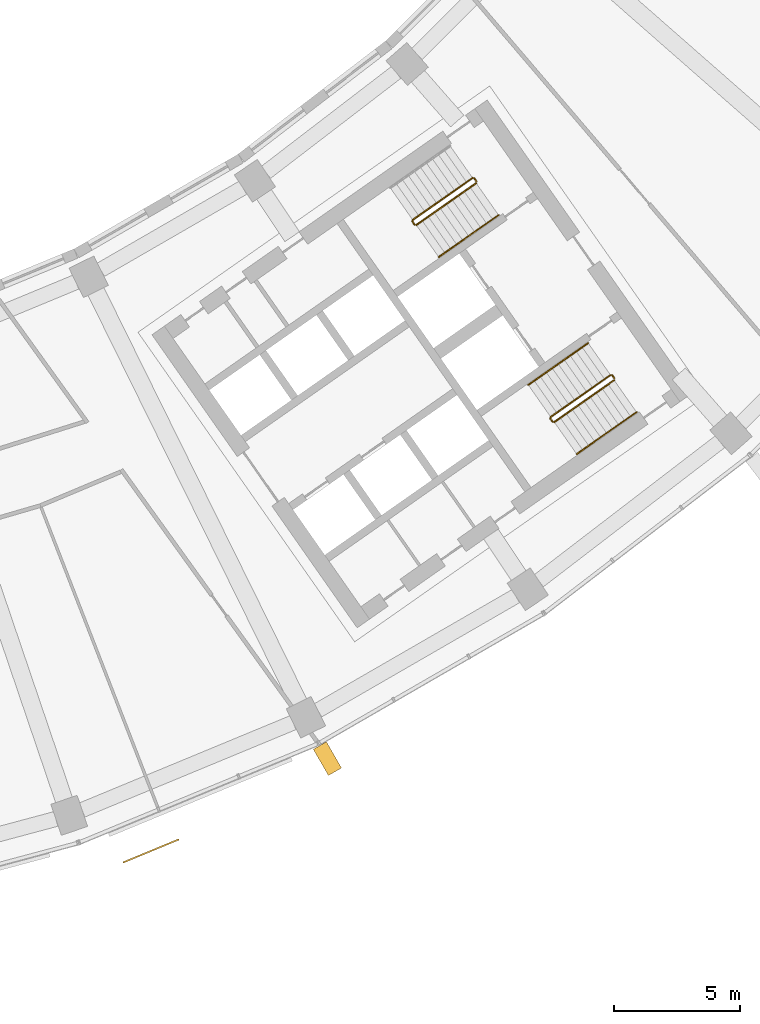
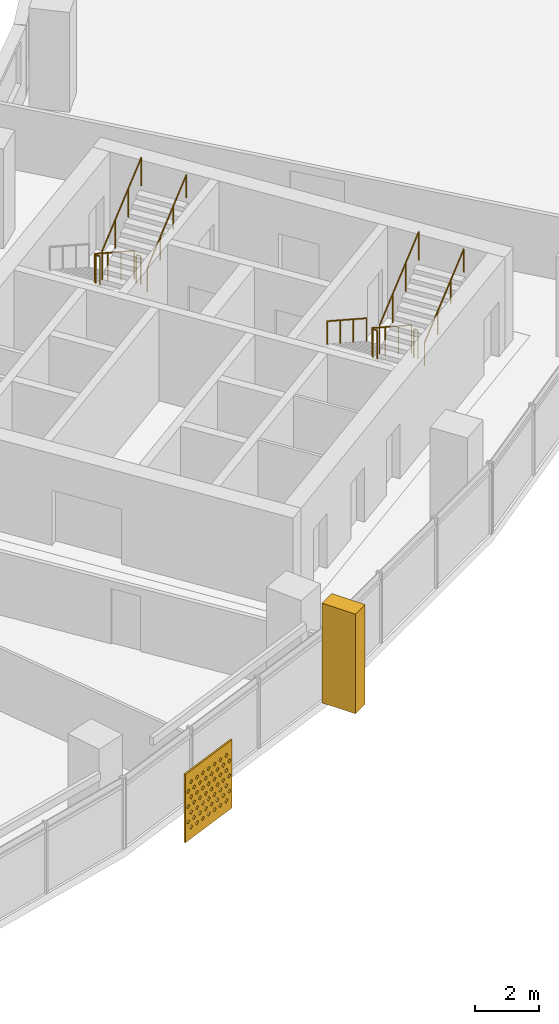
# One storey, part 26 of 27: 9 railings, 2 shading devices.
"""IFC4 building model written with IfcOpenShell, lengths in metres."""

from ifc_helpers import new_model, si_unit, direction, frame, origin, origin_2d, place, context, subcontext, project, spatial, polyline, circle, outline, extrude, material, material_profile, profile_set, type_object, element, save


model = new_model("IFC4")

# Units and contexts
model_context = context("Model", 3, precision=1e-05, world=origin(), true_north=direction((0.0, 1.0)))
body_context = subcontext(model_context, "Body", "Model", "MODEL_VIEW")
ifc_project = project(units=[si_unit("LENGTHUNIT", "METRE"), si_unit("AREAUNIT", "SQUARE_METRE"), si_unit("VOLUMEUNIT", "CUBIC_METRE"), si_unit("PLANEANGLEUNIT", "RADIAN"), si_unit("MASSUNIT", "GRAM", prefix="KILO")], contexts=[model_context])

# Site, building, storey
site_placement = place(None, origin())
site = spatial("IfcSite", under=ifc_project, at=site_placement, CompositionType="ELEMENT")
building_placement = place(site_placement, origin())
building = spatial("IfcBuilding", under=site, at=building_placement, Name="Qamariyya Broadcast Tower", CompositionType="ELEMENT")
storey_placement = place(building_placement, frame((0.0, 0.0, 153.10009765625)))
storey = spatial("IfcBuildingStorey", under=building, at=storey_placement, Name="L35", CompositionType="ELEMENT", Elevation=153.10009765625)

# Shading devices
ifc_material_1 = material(Name="Steel S355 powder coated deep red", Category="steel")
shading_device_type_1 = type_object("IfcShadingDeviceType", Name="Deep red frame, powder coated steel box section", PredefinedType="USERDEFINED", material=ifc_material_1)
shading_device_1_placement = place(storey_placement, origin())
element("IfcShadingDevice", 1, at=shading_device_1_placement, inside=storey, type_object=shading_device_type_1, Name="e-frm-B3-F4-posta-L35", ObjectType="FRAME", PredefinedType="USERDEFINED", context=body_context, shape_type="SweptSolid", body=[
    extrude(outline(polyline([(34.680908203125, -71.0029296875), (35.281005859375, -72.042236328125), (35.800537109375, -71.7421875), (35.20068359375, -70.702880859375), (34.680908203125, -71.0029296875)])), origin(), (0.0, 0.0, 1.0), 3.7998046875),
])
ifc_material_2 = material(Name="Perforated glazed terracotta", Category="masonry")
ifc_material_profile = material_profile(ifc_material_2, outline(polyline([(-1.199951171875, -1.300048828125), (1.199951171875, -1.300048828125), (1.199951171875, 1.300048828125), (-1.199951171875, 1.300048828125), (-1.199951171875, -1.300048828125)]), holes=[polyline([(-0.81494140625, -0.86669921875), (-0.89990234375, -0.78173828125), (-0.985107421875, -0.86669921875), (-0.89990234375, -0.95166015625), (-0.81494140625, -0.86669921875)]), polyline([(-0.514892578125, -0.86669921875), (-0.60009765625, -0.78173828125), (-0.68505859375, -0.86669921875), (-0.60009765625, -0.95166015625), (-0.514892578125, -0.86669921875)]), polyline([(-0.215087890625, -0.86669921875), (-0.300048828125, -0.78173828125), (-0.385009765625, -0.86669921875), (-0.300048828125, -0.95166015625), (-0.215087890625, -0.86669921875)]), polyline([(0.0849609375, -0.86669921875), (0.0, -0.78173828125), (-0.0849609375, -0.86669921875), (0.0, -0.95166015625), (0.0849609375, -0.86669921875)]), polyline([(0.385009765625, -0.86669921875), (0.300048828125, -0.78173828125), (0.215087890625, -0.86669921875), (0.300048828125, -0.95166015625), (0.385009765625, -0.86669921875)]), polyline([(0.68505859375, -0.86669921875), (0.60009765625, -0.78173828125), (0.514892578125, -0.86669921875), (0.60009765625, -0.95166015625), (0.68505859375, -0.86669921875)]), polyline([(0.985107421875, -0.86669921875), (0.89990234375, -0.78173828125), (0.81494140625, -0.86669921875), (0.89990234375, -0.95166015625), (0.985107421875, -0.86669921875)]), polyline([(-0.965087890625, -0.577880859375), (-1.050048828125, -0.49267578125), (-1.135009765625, -0.577880859375), (-1.050048828125, -0.662841796875), (-0.965087890625, -0.577880859375)]), polyline([(-0.6650390625, -0.577880859375), (-0.75, -0.49267578125), (-0.8349609375, -0.577880859375), (-0.75, -0.662841796875), (-0.6650390625, -0.577880859375)]), polyline([(-0.364990234375, -0.577880859375), (-0.449951171875, -0.49267578125), (-0.534912109375, -0.577880859375), (-0.449951171875, -0.662841796875), (-0.364990234375, -0.577880859375)]), polyline([(-0.06494140625, -0.577880859375), (-0.14990234375, -0.49267578125), (-0.235107421875, -0.577880859375), (-0.14990234375, -0.662841796875), (-0.06494140625, -0.577880859375)]), polyline([(0.235107421875, -0.577880859375), (0.14990234375, -0.49267578125), (0.06494140625, -0.577880859375), (0.14990234375, -0.662841796875), (0.235107421875, -0.577880859375)]), polyline([(0.534912109375, -0.577880859375), (0.449951171875, -0.49267578125), (0.364990234375, -0.577880859375), (0.449951171875, -0.662841796875), (0.534912109375, -0.577880859375)]), polyline([(0.8349609375, -0.577880859375), (0.75, -0.49267578125), (0.6650390625, -0.577880859375), (0.75, -0.662841796875), (0.8349609375, -0.577880859375)]), polyline([(1.135009765625, -0.577880859375), (1.050048828125, -0.49267578125), (0.965087890625, -0.577880859375), (1.050048828125, -0.662841796875), (1.135009765625, -0.577880859375)]), polyline([(-0.81494140625, -0.288818359375), (-0.89990234375, -0.203857421875), (-0.985107421875, -0.288818359375), (-0.89990234375, -0.373779296875), (-0.81494140625, -0.288818359375)]), polyline([(-0.514892578125, -0.288818359375), (-0.60009765625, -0.203857421875), (-0.68505859375, -0.288818359375), (-0.60009765625, -0.373779296875), (-0.514892578125, -0.288818359375)]), polyline([(-0.215087890625, -0.288818359375), (-0.300048828125, -0.203857421875), (-0.385009765625, -0.288818359375), (-0.300048828125, -0.373779296875), (-0.215087890625, -0.288818359375)]), polyline([(0.0849609375, -0.288818359375), (0.0, -0.203857421875), (-0.0849609375, -0.288818359375), (0.0, -0.373779296875), (0.0849609375, -0.288818359375)]), polyline([(0.385009765625, -0.288818359375), (0.300048828125, -0.203857421875), (0.215087890625, -0.288818359375), (0.300048828125, -0.373779296875), (0.385009765625, -0.288818359375)]), polyline([(0.68505859375, -0.288818359375), (0.60009765625, -0.203857421875), (0.514892578125, -0.288818359375), (0.60009765625, -0.373779296875), (0.68505859375, -0.288818359375)]), polyline([(0.985107421875, -0.288818359375), (0.89990234375, -0.203857421875), (0.81494140625, -0.288818359375), (0.89990234375, -0.373779296875), (0.985107421875, -0.288818359375)]), polyline([(-0.965087890625, 0.0), (-1.050048828125, 0.0849609375), (-1.135009765625, 0.0), (-1.050048828125, -0.0849609375), (-0.965087890625, 0.0)]), polyline([(-0.6650390625, 0.0), (-0.75, 0.0849609375), (-0.8349609375, 0.0), (-0.75, -0.0849609375), (-0.6650390625, 0.0)]), polyline([(-0.364990234375, 0.0), (-0.449951171875, 0.0849609375), (-0.534912109375, 0.0), (-0.449951171875, -0.0849609375), (-0.364990234375, 0.0)]), polyline([(-0.06494140625, 0.0), (-0.14990234375, 0.0849609375), (-0.235107421875, 0.0), (-0.14990234375, -0.0849609375), (-0.06494140625, 0.0)]), polyline([(0.235107421875, 0.0), (0.14990234375, 0.0849609375), (0.06494140625, 0.0), (0.14990234375, -0.0849609375), (0.235107421875, 0.0)]), polyline([(0.534912109375, 0.0), (0.449951171875, 0.0849609375), (0.364990234375, 0.0), (0.449951171875, -0.0849609375), (0.534912109375, 0.0)]), polyline([(0.8349609375, 0.0), (0.75, 0.0849609375), (0.6650390625, 0.0), (0.75, -0.0849609375), (0.8349609375, 0.0)]), polyline([(1.135009765625, 0.0), (1.050048828125, 0.0849609375), (0.965087890625, 0.0), (1.050048828125, -0.0849609375), (1.135009765625, 0.0)]), polyline([(-0.81494140625, 0.288818359375), (-0.89990234375, 0.373779296875), (-0.985107421875, 0.288818359375), (-0.89990234375, 0.203857421875), (-0.81494140625, 0.288818359375)]), polyline([(-0.514892578125, 0.288818359375), (-0.60009765625, 0.373779296875), (-0.68505859375, 0.288818359375), (-0.60009765625, 0.203857421875), (-0.514892578125, 0.288818359375)]), polyline([(-0.215087890625, 0.288818359375), (-0.300048828125, 0.373779296875), (-0.385009765625, 0.288818359375), (-0.300048828125, 0.203857421875), (-0.215087890625, 0.288818359375)]), polyline([(0.0849609375, 0.288818359375), (0.0, 0.373779296875), (-0.0849609375, 0.288818359375), (0.0, 0.203857421875), (0.0849609375, 0.288818359375)]), polyline([(0.385009765625, 0.288818359375), (0.300048828125, 0.373779296875), (0.215087890625, 0.288818359375), (0.300048828125, 0.203857421875), (0.385009765625, 0.288818359375)]), polyline([(0.68505859375, 0.288818359375), (0.60009765625, 0.373779296875), (0.514892578125, 0.288818359375), (0.60009765625, 0.203857421875), (0.68505859375, 0.288818359375)]), polyline([(0.985107421875, 0.288818359375), (0.89990234375, 0.373779296875), (0.81494140625, 0.288818359375), (0.89990234375, 0.203857421875), (0.985107421875, 0.288818359375)]), polyline([(-0.965087890625, 0.577880859375), (-1.050048828125, 0.662841796875), (-1.135009765625, 0.577880859375), (-1.050048828125, 0.49267578125), (-0.965087890625, 0.577880859375)]), polyline([(-0.6650390625, 0.577880859375), (-0.75, 0.662841796875), (-0.8349609375, 0.577880859375), (-0.75, 0.49267578125), (-0.6650390625, 0.577880859375)]), polyline([(-0.364990234375, 0.577880859375), (-0.449951171875, 0.662841796875), (-0.534912109375, 0.577880859375), (-0.449951171875, 0.49267578125), (-0.364990234375, 0.577880859375)]), polyline([(-0.06494140625, 0.577880859375), (-0.14990234375, 0.662841796875), (-0.235107421875, 0.577880859375), (-0.14990234375, 0.49267578125), (-0.06494140625, 0.577880859375)]), polyline([(0.235107421875, 0.577880859375), (0.14990234375, 0.662841796875), (0.06494140625, 0.577880859375), (0.14990234375, 0.49267578125), (0.235107421875, 0.577880859375)]), polyline([(0.534912109375, 0.577880859375), (0.449951171875, 0.662841796875), (0.364990234375, 0.577880859375), (0.449951171875, 0.49267578125), (0.534912109375, 0.577880859375)]), polyline([(0.8349609375, 0.577880859375), (0.75, 0.662841796875), (0.6650390625, 0.577880859375), (0.75, 0.49267578125), (0.8349609375, 0.577880859375)]), polyline([(1.135009765625, 0.577880859375), (1.050048828125, 0.662841796875), (0.965087890625, 0.577880859375), (1.050048828125, 0.49267578125), (1.135009765625, 0.577880859375)]), polyline([(-0.81494140625, 0.86669921875), (-0.89990234375, 0.95166015625), (-0.985107421875, 0.86669921875), (-0.89990234375, 0.78173828125), (-0.81494140625, 0.86669921875)]), polyline([(-0.514892578125, 0.86669921875), (-0.60009765625, 0.95166015625), (-0.68505859375, 0.86669921875), (-0.60009765625, 0.78173828125), (-0.514892578125, 0.86669921875)]), polyline([(-0.215087890625, 0.86669921875), (-0.300048828125, 0.95166015625), (-0.385009765625, 0.86669921875), (-0.300048828125, 0.78173828125), (-0.215087890625, 0.86669921875)]), polyline([(0.0849609375, 0.86669921875), (0.0, 0.95166015625), (-0.0849609375, 0.86669921875), (0.0, 0.78173828125), (0.0849609375, 0.86669921875)]), polyline([(0.385009765625, 0.86669921875), (0.300048828125, 0.95166015625), (0.215087890625, 0.86669921875), (0.300048828125, 0.78173828125), (0.385009765625, 0.86669921875)]), polyline([(0.68505859375, 0.86669921875), (0.60009765625, 0.95166015625), (0.514892578125, 0.86669921875), (0.60009765625, 0.78173828125), (0.68505859375, 0.86669921875)]), polyline([(0.985107421875, 0.86669921875), (0.89990234375, 0.95166015625), (0.81494140625, 0.86669921875), (0.89990234375, 0.78173828125), (0.985107421875, 0.86669921875)])]))
ifc_profile_set = profile_set([ifc_material_profile], Name="Perforated glazed terracotta")
shading_device_type_2 = type_object("IfcShadingDeviceType", Name="Perforated terracotta screen 2400 x 2600", PredefinedType="USERDEFINED", material=ifc_profile_set)
shading_device_2_placement = place(storey_placement, frame((28.22802734375, -75.008056640625, 1.349853515625), z_axis=(0.382591441855, -0.923917630863, 0.0), x_axis=(0.923917630863, 0.382591441855, 0.0)))
element("IfcShadingDevice", 2, at=shading_device_2_placement, inside=storey, type_object=shading_device_type_2, Name="e-scr-L35-10-0", ObjectType="SCREEN", PredefinedType="USERDEFINED", context=body_context, shape_type="SweptSolid", body=[
    extrude(outline(polyline([(-1.199951171875, -1.300048828125), (1.199951171875, -1.300048828125), (1.199951171875, 1.300048828125), (-1.199951171875, 1.300048828125), (-1.199951171875, -1.300048828125)]), holes=[polyline([(-0.81494140625, -0.86669921875), (-0.89990234375, -0.78173828125), (-0.985107421875, -0.86669921875), (-0.89990234375, -0.95166015625), (-0.81494140625, -0.86669921875)]), polyline([(-0.514892578125, -0.86669921875), (-0.60009765625, -0.78173828125), (-0.68505859375, -0.86669921875), (-0.60009765625, -0.95166015625), (-0.514892578125, -0.86669921875)]), polyline([(-0.215087890625, -0.86669921875), (-0.300048828125, -0.78173828125), (-0.385009765625, -0.86669921875), (-0.300048828125, -0.95166015625), (-0.215087890625, -0.86669921875)]), polyline([(0.0849609375, -0.86669921875), (0.0, -0.78173828125), (-0.0849609375, -0.86669921875), (0.0, -0.95166015625), (0.0849609375, -0.86669921875)]), polyline([(0.385009765625, -0.86669921875), (0.300048828125, -0.78173828125), (0.215087890625, -0.86669921875), (0.300048828125, -0.95166015625), (0.385009765625, -0.86669921875)]), polyline([(0.68505859375, -0.86669921875), (0.60009765625, -0.78173828125), (0.514892578125, -0.86669921875), (0.60009765625, -0.95166015625), (0.68505859375, -0.86669921875)]), polyline([(0.985107421875, -0.86669921875), (0.89990234375, -0.78173828125), (0.81494140625, -0.86669921875), (0.89990234375, -0.95166015625), (0.985107421875, -0.86669921875)]), polyline([(-0.965087890625, -0.577880859375), (-1.050048828125, -0.49267578125), (-1.135009765625, -0.577880859375), (-1.050048828125, -0.662841796875), (-0.965087890625, -0.577880859375)]), polyline([(-0.6650390625, -0.577880859375), (-0.75, -0.49267578125), (-0.8349609375, -0.577880859375), (-0.75, -0.662841796875), (-0.6650390625, -0.577880859375)]), polyline([(-0.364990234375, -0.577880859375), (-0.449951171875, -0.49267578125), (-0.534912109375, -0.577880859375), (-0.449951171875, -0.662841796875), (-0.364990234375, -0.577880859375)]), polyline([(-0.06494140625, -0.577880859375), (-0.14990234375, -0.49267578125), (-0.235107421875, -0.577880859375), (-0.14990234375, -0.662841796875), (-0.06494140625, -0.577880859375)]), polyline([(0.235107421875, -0.577880859375), (0.14990234375, -0.49267578125), (0.06494140625, -0.577880859375), (0.14990234375, -0.662841796875), (0.235107421875, -0.577880859375)]), polyline([(0.534912109375, -0.577880859375), (0.449951171875, -0.49267578125), (0.364990234375, -0.577880859375), (0.449951171875, -0.662841796875), (0.534912109375, -0.577880859375)]), polyline([(0.8349609375, -0.577880859375), (0.75, -0.49267578125), (0.6650390625, -0.577880859375), (0.75, -0.662841796875), (0.8349609375, -0.577880859375)]), polyline([(1.135009765625, -0.577880859375), (1.050048828125, -0.49267578125), (0.965087890625, -0.577880859375), (1.050048828125, -0.662841796875), (1.135009765625, -0.577880859375)]), polyline([(-0.81494140625, -0.288818359375), (-0.89990234375, -0.203857421875), (-0.985107421875, -0.288818359375), (-0.89990234375, -0.373779296875), (-0.81494140625, -0.288818359375)]), polyline([(-0.514892578125, -0.288818359375), (-0.60009765625, -0.203857421875), (-0.68505859375, -0.288818359375), (-0.60009765625, -0.373779296875), (-0.514892578125, -0.288818359375)]), polyline([(-0.215087890625, -0.288818359375), (-0.300048828125, -0.203857421875), (-0.385009765625, -0.288818359375), (-0.300048828125, -0.373779296875), (-0.215087890625, -0.288818359375)]), polyline([(0.0849609375, -0.288818359375), (0.0, -0.203857421875), (-0.0849609375, -0.288818359375), (0.0, -0.373779296875), (0.0849609375, -0.288818359375)]), polyline([(0.385009765625, -0.288818359375), (0.300048828125, -0.203857421875), (0.215087890625, -0.288818359375), (0.300048828125, -0.373779296875), (0.385009765625, -0.288818359375)]), polyline([(0.68505859375, -0.288818359375), (0.60009765625, -0.203857421875), (0.514892578125, -0.288818359375), (0.60009765625, -0.373779296875), (0.68505859375, -0.288818359375)]), polyline([(0.985107421875, -0.288818359375), (0.89990234375, -0.203857421875), (0.81494140625, -0.288818359375), (0.89990234375, -0.373779296875), (0.985107421875, -0.288818359375)]), polyline([(-0.965087890625, 0.0), (-1.050048828125, 0.0849609375), (-1.135009765625, 0.0), (-1.050048828125, -0.0849609375), (-0.965087890625, 0.0)]), polyline([(-0.6650390625, 0.0), (-0.75, 0.0849609375), (-0.8349609375, 0.0), (-0.75, -0.0849609375), (-0.6650390625, 0.0)]), polyline([(-0.364990234375, 0.0), (-0.449951171875, 0.0849609375), (-0.534912109375, 0.0), (-0.449951171875, -0.0849609375), (-0.364990234375, 0.0)]), polyline([(-0.06494140625, 0.0), (-0.14990234375, 0.0849609375), (-0.235107421875, 0.0), (-0.14990234375, -0.0849609375), (-0.06494140625, 0.0)]), polyline([(0.235107421875, 0.0), (0.14990234375, 0.0849609375), (0.06494140625, 0.0), (0.14990234375, -0.0849609375), (0.235107421875, 0.0)]), polyline([(0.534912109375, 0.0), (0.449951171875, 0.0849609375), (0.364990234375, 0.0), (0.449951171875, -0.0849609375), (0.534912109375, 0.0)]), polyline([(0.8349609375, 0.0), (0.75, 0.0849609375), (0.6650390625, 0.0), (0.75, -0.0849609375), (0.8349609375, 0.0)]), polyline([(1.135009765625, 0.0), (1.050048828125, 0.0849609375), (0.965087890625, 0.0), (1.050048828125, -0.0849609375), (1.135009765625, 0.0)]), polyline([(-0.81494140625, 0.288818359375), (-0.89990234375, 0.373779296875), (-0.985107421875, 0.288818359375), (-0.89990234375, 0.203857421875), (-0.81494140625, 0.288818359375)]), polyline([(-0.514892578125, 0.288818359375), (-0.60009765625, 0.373779296875), (-0.68505859375, 0.288818359375), (-0.60009765625, 0.203857421875), (-0.514892578125, 0.288818359375)]), polyline([(-0.215087890625, 0.288818359375), (-0.300048828125, 0.373779296875), (-0.385009765625, 0.288818359375), (-0.300048828125, 0.203857421875), (-0.215087890625, 0.288818359375)]), polyline([(0.0849609375, 0.288818359375), (0.0, 0.373779296875), (-0.0849609375, 0.288818359375), (0.0, 0.203857421875), (0.0849609375, 0.288818359375)]), polyline([(0.385009765625, 0.288818359375), (0.300048828125, 0.373779296875), (0.215087890625, 0.288818359375), (0.300048828125, 0.203857421875), (0.385009765625, 0.288818359375)]), polyline([(0.68505859375, 0.288818359375), (0.60009765625, 0.373779296875), (0.514892578125, 0.288818359375), (0.60009765625, 0.203857421875), (0.68505859375, 0.288818359375)]), polyline([(0.985107421875, 0.288818359375), (0.89990234375, 0.373779296875), (0.81494140625, 0.288818359375), (0.89990234375, 0.203857421875), (0.985107421875, 0.288818359375)]), polyline([(-0.965087890625, 0.577880859375), (-1.050048828125, 0.662841796875), (-1.135009765625, 0.577880859375), (-1.050048828125, 0.49267578125), (-0.965087890625, 0.577880859375)]), polyline([(-0.6650390625, 0.577880859375), (-0.75, 0.662841796875), (-0.8349609375, 0.577880859375), (-0.75, 0.49267578125), (-0.6650390625, 0.577880859375)]), polyline([(-0.364990234375, 0.577880859375), (-0.449951171875, 0.662841796875), (-0.534912109375, 0.577880859375), (-0.449951171875, 0.49267578125), (-0.364990234375, 0.577880859375)]), polyline([(-0.06494140625, 0.577880859375), (-0.14990234375, 0.662841796875), (-0.235107421875, 0.577880859375), (-0.14990234375, 0.49267578125), (-0.06494140625, 0.577880859375)]), polyline([(0.235107421875, 0.577880859375), (0.14990234375, 0.662841796875), (0.06494140625, 0.577880859375), (0.14990234375, 0.49267578125), (0.235107421875, 0.577880859375)]), polyline([(0.534912109375, 0.577880859375), (0.449951171875, 0.662841796875), (0.364990234375, 0.577880859375), (0.449951171875, 0.49267578125), (0.534912109375, 0.577880859375)]), polyline([(0.8349609375, 0.577880859375), (0.75, 0.662841796875), (0.6650390625, 0.577880859375), (0.75, 0.49267578125), (0.8349609375, 0.577880859375)]), polyline([(1.135009765625, 0.577880859375), (1.050048828125, 0.662841796875), (0.965087890625, 0.577880859375), (1.050048828125, 0.49267578125), (1.135009765625, 0.577880859375)]), polyline([(-0.81494140625, 0.86669921875), (-0.89990234375, 0.95166015625), (-0.985107421875, 0.86669921875), (-0.89990234375, 0.78173828125), (-0.81494140625, 0.86669921875)]), polyline([(-0.514892578125, 0.86669921875), (-0.60009765625, 0.95166015625), (-0.68505859375, 0.86669921875), (-0.60009765625, 0.78173828125), (-0.514892578125, 0.86669921875)]), polyline([(-0.215087890625, 0.86669921875), (-0.300048828125, 0.95166015625), (-0.385009765625, 0.86669921875), (-0.300048828125, 0.78173828125), (-0.215087890625, 0.86669921875)]), polyline([(0.0849609375, 0.86669921875), (0.0, 0.95166015625), (-0.0849609375, 0.86669921875), (0.0, 0.78173828125), (0.0849609375, 0.86669921875)]), polyline([(0.385009765625, 0.86669921875), (0.300048828125, 0.95166015625), (0.215087890625, 0.86669921875), (0.300048828125, 0.78173828125), (0.385009765625, 0.86669921875)]), polyline([(0.68505859375, 0.86669921875), (0.60009765625, 0.95166015625), (0.514892578125, 0.86669921875), (0.60009765625, 0.78173828125), (0.68505859375, 0.86669921875)]), polyline([(0.985107421875, 0.86669921875), (0.89990234375, 0.95166015625), (0.81494140625, 0.86669921875), (0.89990234375, 0.78173828125), (0.985107421875, 0.86669921875)])]), origin(), (0.0, 0.0, 1.0), 0.06005859375),
])

# Railings
ifc_material_3 = material(Name="Painted steel", Category="steel")
railing_type_1 = type_object("IfcRailingType", Name="Stair guard", PredefinedType="GUARDRAIL", material=ifc_material_3)
railing_1_placement = place(storey_placement, frame((41.003173828125, -48.320068359375, 0.172607421875)))
element("IfcRailing", 3, at=railing_1_placement, inside=storey, type_object=railing_type_1, Name="L35 ST-E2 stair guard 1", PredefinedType="GUARDRAIL", context=body_context, shape_type="SweptSolid", body=[
    extrude(circle(Radius=0.02392578125, at=origin_2d()), frame((0.0, 0.0, 1.076171875), z_axis=(-0.703770094002, -0.492783725636, 0.511734163933), x_axis=(0.573575343427, -0.819152809562, 0.0)), (0.0, 0.0, 1.0), 3.37548828125),
    extrude(circle(Radius=0.02392578125, at=origin_2d()), frame((-2.37548828125, -1.663330078125, 2.80322265625), z_axis=(-0.172799478008, -0.984957024646, 0.0), x_axis=(0.984957024646, -0.172799478008, 0.0)), (0.0, 0.0, 1.0), 0.070556640625),
    extrude(circle(Radius=0.02392578125, at=origin_2d()), frame((-2.3876953125, -1.73291015625, 2.80322265625), z_axis=(0.572588637393, -0.819842821722, 0.0), x_axis=(0.819842821722, 0.572588637393, 0.0)), (0.0, 0.0, 1.0), 0.150146484375),
    extrude(circle(Radius=0.02099609375, at=origin_2d()), origin(), (0.0, 0.0, 1.0), 1.052001953125),
    extrude(circle(Radius=0.02099609375, at=origin_2d()), frame((-0.791748046875, -0.554443359375, 0.57568359375)), (0.0, 0.0, 1.0), 1.052001953125),
    extrude(circle(Radius=0.02099609375, at=origin_2d()), frame((-1.583740234375, -1.10888671875, 1.151611328125)), (0.0, 0.0, 1.0), 1.052001953125),
    extrude(circle(Radius=0.02099609375, at=origin_2d()), frame((-2.37548828125, -1.663330078125, 1.727294921875)), (0.0, 0.0, 1.0), 1.052001953125),
    extrude(circle(Radius=0.02099609375, at=origin_2d()), frame((-2.3876953125, -1.73291015625, 1.727294921875)), (0.0, 0.0, 1.0), 1.052001953125),
    extrude(circle(Radius=0.02099609375, at=origin_2d()), frame((-2.3017578125, -1.85595703125, 1.727294921875)), (0.0, 0.0, 1.0), 1.052001953125),
])
railing_2_placement = place(storey_placement, frame((38.771240234375, -50.188232421875, 2.072509765625)))
element("IfcRailing", 4, at=railing_2_placement, inside=storey, type_object=railing_type_1, Name="L35 ST-E2 stair guard 2", PredefinedType="GUARDRAIL", context=body_context, shape_type="SweptSolid", body=[
    extrude(circle(Radius=0.02392578125, at=origin_2d()), frame((0.0, 0.0, 1.076171875), z_axis=(0.703770094002, 0.492783725636, 0.511734163933), x_axis=(-0.573575343427, 0.819152809562, 0.0)), (0.0, 0.0, 1.0), 3.37548828125),
    extrude(circle(Radius=0.02099609375, at=origin_2d()), origin(), (0.0, 0.0, 1.0), 1.052001953125),
    extrude(circle(Radius=0.02099609375, at=origin_2d()), frame((0.791748046875, 0.554443359375, 0.57568359375)), (0.0, 0.0, 1.0), 1.052001953125),
    extrude(circle(Radius=0.02099609375, at=origin_2d()), frame((1.583740234375, 1.10888671875, 1.151611328125)), (0.0, 0.0, 1.0), 1.052001953125),
    extrude(circle(Radius=0.02099609375, at=origin_2d()), frame((2.37548828125, 1.663330078125, 1.727294921875)), (0.0, 0.0, 1.0), 1.052001953125),
])
railing_3_placement = place(storey_placement, frame((41.072998046875, -48.332275390625, 0.0)))
element("IfcRailing", 5, at=railing_3_placement, inside=storey, type_object=railing_type_1, Name="L35 ST-E2 stair guard 3", PredefinedType="GUARDRAIL", context=body_context, shape_type="SweptSolid", body=[
    extrude(circle(Radius=0.02392578125, at=origin_2d()), frame((0.0, 0.0, 1.076171875), z_axis=(0.572588637393, -0.819842821722, 0.0), x_axis=(0.819842821722, 0.572588637393, 0.0)), (0.0, 0.0, 1.0), 0.150146484375),
    extrude(circle(Radius=0.02099609375, at=origin_2d()), origin(), (0.0, 0.0, 1.0), 1.052001953125),
    extrude(circle(Radius=0.02099609375, at=origin_2d()), frame((0.0859375, -0.123046875, 0.0)), (0.0, 0.0, 1.0), 1.052001953125),
])
railing_4_placement = place(storey_placement, frame((46.48095703125, -56.14306640625, 0.172607421875)))
element("IfcRailing", 6, at=railing_4_placement, inside=storey, type_object=railing_type_1, Name="L35 ST-E1 stair guard 1", PredefinedType="GUARDRAIL", context=body_context, shape_type="SweptSolid", body=[
    extrude(circle(Radius=0.02392578125, at=origin_2d()), frame((0.0, 0.0, 1.076171875), z_axis=(-0.703770094002, -0.492783725636, 0.511734163933), x_axis=(0.573575343427, -0.819152809562, 0.0)), (0.0, 0.0, 1.0), 3.37548828125),
    extrude(circle(Radius=0.02392578125, at=origin_2d()), frame((-2.37548828125, -1.663330078125, 2.80322265625), z_axis=(-0.176149252506, -0.984363469884, 0.0), x_axis=(0.984363469884, -0.176149252506, 0.0)), (0.0, 0.0, 1.0), 0.07080078125),
    extrude(circle(Radius=0.02392578125, at=origin_2d()), frame((-2.387939453125, -1.73291015625, 2.80322265625), z_axis=(0.574444878118, -0.818543268254, 0.0), x_axis=(0.818543268254, 0.574444878118, 0.0)), (0.0, 0.0, 1.0), 0.150146484375),
    extrude(circle(Radius=0.02099609375, at=origin_2d()), origin(), (0.0, 0.0, 1.0), 1.052001953125),
    extrude(circle(Radius=0.02099609375, at=origin_2d()), frame((-0.791748046875, -0.554443359375, 0.57568359375)), (0.0, 0.0, 1.0), 1.052001953125),
    extrude(circle(Radius=0.02099609375, at=origin_2d()), frame((-1.583740234375, -1.10888671875, 1.151611328125)), (0.0, 0.0, 1.0), 1.052001953125),
    extrude(circle(Radius=0.02099609375, at=origin_2d()), frame((-2.37548828125, -1.663330078125, 1.727294921875)), (0.0, 0.0, 1.0), 1.052001953125),
    extrude(circle(Radius=0.02099609375, at=origin_2d()), frame((-2.387939453125, -1.73291015625, 1.727294921875)), (0.0, 0.0, 1.0), 1.052001953125),
    extrude(circle(Radius=0.02099609375, at=origin_2d()), frame((-2.3017578125, -1.855712890625, 1.727294921875)), (0.0, 0.0, 1.0), 1.052001953125),
])
railing_5_placement = place(storey_placement, frame((44.248779296875, -58.01123046875, 2.072509765625)))
element("IfcRailing", 7, at=railing_5_placement, inside=storey, type_object=railing_type_1, Name="L35 ST-E1 stair guard 2", PredefinedType="GUARDRAIL", context=body_context, shape_type="SweptSolid", body=[
    extrude(circle(Radius=0.02392578125, at=origin_2d()), frame((0.0, 0.0, 1.076171875), z_axis=(0.703745009021, 0.492838488332, 0.511715923826), x_axis=(-0.573631830683, 0.819113253969, 0.0)), (0.0, 0.0, 1.0), 3.37548828125),
    extrude(circle(Radius=0.02099609375, at=origin_2d()), origin(), (0.0, 0.0, 1.0), 1.052001953125),
    extrude(circle(Radius=0.02099609375, at=origin_2d()), frame((0.791748046875, 0.554443359375, 0.57568359375)), (0.0, 0.0, 1.0), 1.052001953125),
    extrude(circle(Radius=0.02099609375, at=origin_2d()), frame((1.583740234375, 1.109130859375, 1.151611328125)), (0.0, 0.0, 1.0), 1.052001953125),
    extrude(circle(Radius=0.02099609375, at=origin_2d()), frame((2.37548828125, 1.66357421875, 1.727294921875)), (0.0, 0.0, 1.0), 1.052001953125),
])
railing_6_placement = place(storey_placement, frame((46.550537109375, -56.1552734375, 0.0)))
element("IfcRailing", 8, at=railing_6_placement, inside=storey, type_object=railing_type_1, Name="L35 ST-E1 stair guard 3", PredefinedType="GUARDRAIL", context=body_context, shape_type="SweptSolid", body=[
    extrude(circle(Radius=0.02392578125, at=origin_2d()), frame((0.0, 0.0, 1.076171875), z_axis=(0.574444878118, -0.818543268254, 0.0), x_axis=(0.818543268254, 0.574444878118, 0.0)), (0.0, 0.0, 1.0), 0.150146484375),
    extrude(circle(Radius=0.02099609375, at=origin_2d()), origin(), (0.0, 0.0, 1.0), 1.052001953125),
    extrude(circle(Radius=0.02099609375, at=origin_2d()), frame((0.086181640625, -0.122802734375, 0.0)), (0.0, 0.0, 1.0), 1.052001953125),
])
ifc_material_4 = material(Name="Stainless steel", Category="steel")
railing_type_2 = type_object("IfcRailingType", Name="Stair handrail", PredefinedType="HANDRAIL", material=ifc_material_4)
railing_7_placement = place(storey_placement, frame((39.66015625, -51.4580078125, 2.072509765625)))
element("IfcRailing", 9, at=railing_7_placement, inside=storey, type_object=railing_type_2, Name="L35 ST-E2 stair handrail 2", PredefinedType="HANDRAIL", context=body_context, shape_type="SweptSolid", body=[
    extrude(circle(Radius=0.02392578125, at=origin_2d()), frame((0.0, 0.0, 0.8759765625), z_axis=(0.703745009021, 0.492838488332, 0.511715923826), x_axis=(-0.573631830683, 0.819113253969, 0.0)), (0.0, 0.0, 1.0), 3.37548828125),
    extrude(circle(Radius=0.02099609375, at=origin_2d()), origin(), (0.0, 0.0, 1.0), 0.851806640625),
    extrude(circle(Radius=0.02099609375, at=origin_2d()), frame((0.791748046875, 0.554443359375, 0.57568359375)), (0.0, 0.0, 1.0), 0.851806640625),
    extrude(circle(Radius=0.02099609375, at=origin_2d()), frame((1.583740234375, 1.109130859375, 1.151611328125)), (0.0, 0.0, 1.0), 0.851806640625),
    extrude(circle(Radius=0.02099609375, at=origin_2d()), frame((2.37548828125, 1.66357421875, 1.727294921875)), (0.0, 0.0, 1.0), 0.851806640625),
])
railing_8_placement = place(storey_placement, frame((45.591796875, -54.873291015625, 0.172607421875)))
element("IfcRailing", 10, at=railing_8_placement, inside=storey, type_object=railing_type_2, Name="L35 ST-E1 stair handrail 1", PredefinedType="HANDRAIL", context=body_context, shape_type="SweptSolid", body=[
    extrude(circle(Radius=0.02392578125, at=origin_2d()), frame((0.0, 0.0, 0.8759765625), z_axis=(-0.703770094002, -0.492783725636, 0.511734163933), x_axis=(0.573575343427, -0.819152809562, 0.0)), (0.0, 0.0, 1.0), 3.37548828125),
    extrude(circle(Radius=0.02099609375, at=origin_2d()), origin(), (0.0, 0.0, 1.0), 0.851806640625),
    extrude(circle(Radius=0.02099609375, at=origin_2d()), frame((-0.791748046875, -0.554443359375, 0.57568359375)), (0.0, 0.0, 1.0), 0.851806640625),
    extrude(circle(Radius=0.02099609375, at=origin_2d()), frame((-1.583740234375, -1.10888671875, 1.151611328125)), (0.0, 0.0, 1.0), 0.851806640625),
    extrude(circle(Radius=0.02099609375, at=origin_2d()), frame((-2.37548828125, -1.663330078125, 1.727294921875)), (0.0, 0.0, 1.0), 0.851806640625),
])
railing_9_placement = place(storey_placement, frame((45.137939453125, -59.28076171875, 2.072509765625)))
element("IfcRailing", 11, at=railing_9_placement, inside=storey, type_object=railing_type_2, Name="L35 ST-E1 stair handrail 2", PredefinedType="HANDRAIL", context=body_context, shape_type="SweptSolid", body=[
    extrude(circle(Radius=0.02392578125, at=origin_2d()), frame((0.0, 0.0, 0.8759765625), z_axis=(0.703770094002, 0.492783725636, 0.511734163933), x_axis=(-0.573575343427, 0.819152809562, 0.0)), (0.0, 0.0, 1.0), 3.37548828125),
    extrude(circle(Radius=0.02099609375, at=origin_2d()), origin(), (0.0, 0.0, 1.0), 0.851806640625),
    extrude(circle(Radius=0.02099609375, at=origin_2d()), frame((0.791748046875, 0.554443359375, 0.57568359375)), (0.0, 0.0, 1.0), 0.851806640625),
    extrude(circle(Radius=0.02099609375, at=origin_2d()), frame((1.583740234375, 1.10888671875, 1.151611328125)), (0.0, 0.0, 1.0), 0.851806640625),
    extrude(circle(Radius=0.02099609375, at=origin_2d()), frame((2.37548828125, 1.663330078125, 1.727294921875)), (0.0, 0.0, 1.0), 0.851806640625),
])

save(model, "model.ifc")
